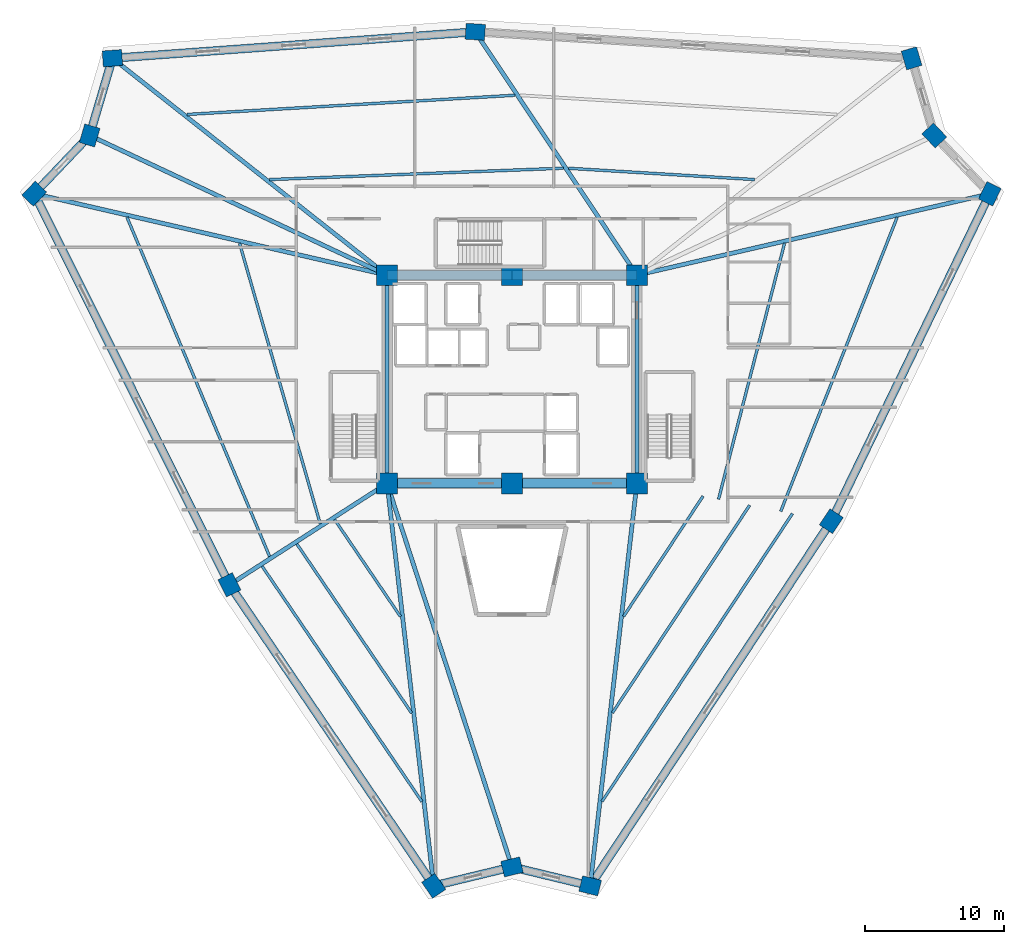
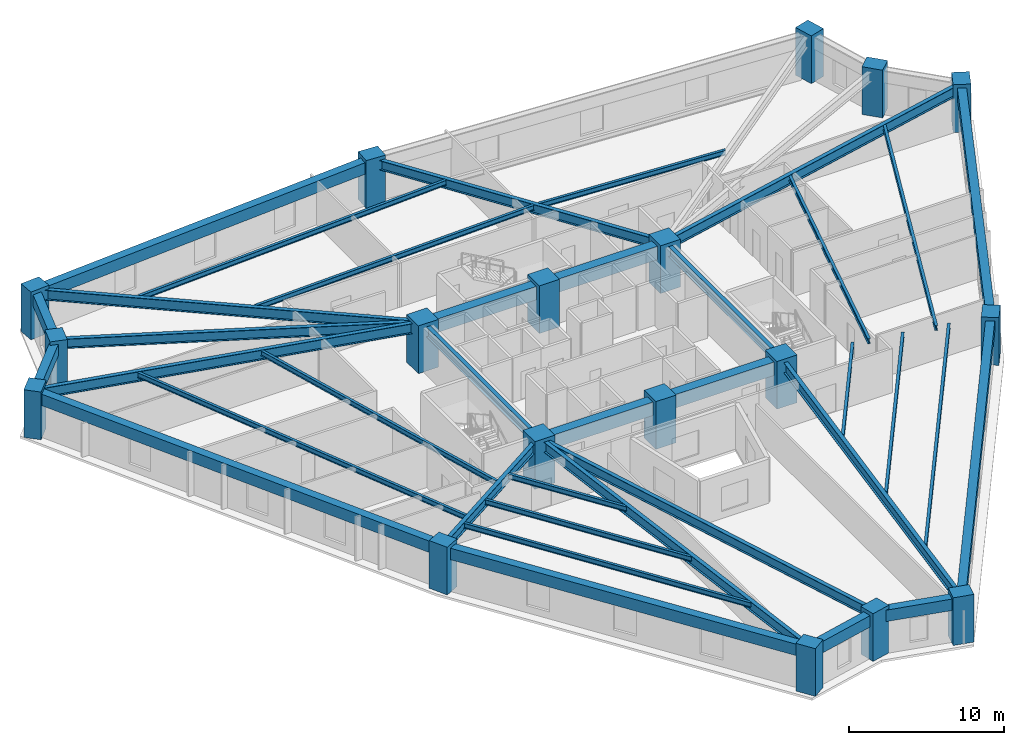
# One storey, part 1 of 8: 37 beams, 18 columns.
"""IFC4 building model written with IfcOpenShell, lengths in metres."""

from ifc_helpers import new_model, si_unit, direction, frame, origin, origin_2d, place, context, subcontext, project, spatial, rectangle, i_section, extrude, source, transform, mapped, material, material_profile, profile_set, type_object, element, save


model = new_model("IFC4")

# Units and contexts
model_context = context("Model", 3, precision=1e-05, world=origin(), true_north=direction((0.0, 1.0)))
body_context = subcontext(model_context, "Body", "Model", "MODEL_VIEW")
ifc_project = project(units=[si_unit("LENGTHUNIT", "METRE"), si_unit("AREAUNIT", "SQUARE_METRE"), si_unit("VOLUMEUNIT", "CUBIC_METRE"), si_unit("PLANEANGLEUNIT", "RADIAN"), si_unit("MASSUNIT", "GRAM", prefix="KILO")], contexts=[model_context])

# Site, building, storey
site_placement = place(None, origin())
site = spatial("IfcSite", under=ifc_project, at=site_placement, CompositionType="ELEMENT")
building_placement = place(site_placement, origin())
building = spatial("IfcBuilding", under=site, at=building_placement, Name="Liaohun Quay Tower", CompositionType="ELEMENT")
storey_placement = place(building_placement, frame((0.0, 0.0, 181.5)))
storey = spatial("IfcBuildingStorey", under=building, at=storey_placement, Name="L47", CompositionType="ELEMENT", Elevation=181.5)

# Columns
ifc_material_1 = material(Name="Concrete C60", Category="concrete")
ifc_material_profile_1 = material_profile(ifc_material_1, rectangle(XDim=1.5, YDim=1.5, at=origin_2d()), Name="RC1500x1500")
ifc_profile_set_1 = profile_set([ifc_material_profile_1], Name="Concrete C60")
column_type_1 = type_object("IfcColumnType", Name="COL-CC-Z2", PredefinedType="COLUMN", material=ifc_profile_set_1)
shared_shape_1 = source(origin(), body_context, "Body", "SweptSolid", [
    extrude(rectangle(XDim=1.5, YDim=1.5, at=origin_2d()), origin(), (0.0, 0.0, 1.0), 3.75),
])
for number, where, z_axis, x_axis, name in (
    (1, (51.0, 46.5, 0.0), (0.0, 0.0, 1.0), (1.0, 0.0, 0.0), "L47 Core Column CC1"),
    (2, (60.0, 46.5, 0.0), (0.0, 0.0, 1.0), (1.0, 0.0, 0.0), "L47 Core Column CC2"),
    (3, (69.0, 46.5, 0.0), (0.0, 0.0, 1.0), (1.0, 0.0, 0.0), "L47 Core Column CC3"),
    (4, (69.0, 61.5, 0.0), (0.0, 0.0, 1.0), (1.0, 0.0, 0.0), "L47 Core Column CC4"),
    (5, (60.0, 61.5, 0.0), (0.0, 0.0, 1.0), (1.0, 0.0, 0.0), "L47 Core Column CC5"),
    (6, (51.0, 61.5, 0.0), (0.0, 0.0, 1.0), (1.0, 0.0, 0.0), "L47 Core Column CC6"),
):
    element("IfcColumn", number, at=place(storey_placement, frame(where, z_axis=z_axis, x_axis=x_axis)), inside=storey, type_object=column_type_1, Name=name, PredefinedType="COLUMN", context=body_context, shape_type="MappedRepresentation", body=[
        mapped(shared_shape_1, transform((0.0, 0.0, 0.0), x_axis=(1.0, 0.0, 0.0), y_axis=(0.0, 1.0, 0.0), z_axis=(0.0, 0.0, 1.0), scale=1.0)),
    ])
ifc_material_profile_2 = material_profile(ifc_material_1, rectangle(XDim=1.39990234375, YDim=1.14990234375, at=origin_2d()), Name="RC1400x1150")
ifc_profile_set_2 = profile_set([ifc_material_profile_2], Name="Concrete C60")
column_type_2 = type_object("IfcColumnType", Name="COL-PIER-Z2", PredefinedType="COLUMN", material=ifc_profile_set_2)
shared_shape_2 = source(origin(), body_context, "Body", "SweptSolid", [
    extrude(rectangle(XDim=1.39990234375, YDim=1.14990234375, at=origin_2d()), origin(), (0.0, 0.0, 1.0), 3.75),
])
for number, where, z_axis, x_axis, name in (
    (7, (54.362060546875, 17.50390625, 0.0), (0.0, 0.0, 1.0), (-0.561505829755, 0.827472780913, 0.0), "L47 Perimeter Pier PC01"),
    (8, (39.64208984375, 39.193115234375, 0.0), (0.0, 0.0, 1.0), (-0.446510176944, 0.894778554664, 0.0), "L47 Perimeter Pier PC02"),
    (9, (25.580078125, 67.3701171875, 0.0), (0.0, 0.0, 1.0), (0.68936671806, 0.724412539946, 0.0), "L47 Perimeter Pier PC03"),
    (10, (29.572998046875, 71.56689453125, 0.0), (0.0, 0.0, 1.0), (0.28284371374, 0.959166009405, 0.0), "L47 Perimeter Pier PC04"),
    (11, (31.214111328125, 77.131103515625, 0.0), (0.0, 0.0, 1.0), (0.997365364088, 0.072541922484, 0.0), "L47 Perimeter Pier PC05"),
    (12, (57.35595703125, 79.032958984375, 0.0), (0.0, 0.0, 1.0), (-0.998156047572, 0.06070012105, 0.0), "L47 Perimeter Pier PC06"),
    (13, (88.7880859375, 77.1240234375, 0.0), (0.0, 0.0, 1.0), (-0.28284371374, 0.959166009405, 0.0), "L47 Perimeter Pier PC07"),
    (14, (90.427001953125, 71.56689453125, 0.0), (0.0, 0.0, 1.0), (-0.68936671806, 0.724412539946, 0.0), "L47 Perimeter Pier PC08"),
    (15, (94.425048828125, 67.364990234375, 0.0), (0.0, 0.0, 1.0), (0.435859534333, 0.900014703397, 0.0), "L47 Perimeter Pier PC09"),
    (16, (83.001953125, 43.77392578125, 0.0), (0.0, 0.0, 1.0), (0.551645870628, 0.834078433613, 0.0), "L47 Perimeter Pier PC10"),
    (17, (65.631103515625, 17.506103515625, 0.0), (0.0, 0.0, 1.0), (-0.972043021443, 0.234802820391, 0.0), "L47 Perimeter Pier PC11"),
    (18, (60.0, 18.865966796875, 0.0), (0.0, 0.0, 1.0), (0.972043021443, 0.234802820391, 0.0), "L47 Perimeter Pier PC12"),
):
    element("IfcColumn", number, at=place(storey_placement, frame(where, z_axis=z_axis, x_axis=x_axis)), inside=storey, type_object=column_type_2, Name=name, PredefinedType="COLUMN", context=body_context, shape_type="MappedRepresentation", body=[
        mapped(shared_shape_2, transform((0.0, 0.0, 0.0), x_axis=(1.0, 0.0, 0.0), y_axis=(0.0, 1.0, 0.0), z_axis=(0.0, 0.0, 1.0), scale=1.0)),
    ])

# Beams
ifc_material_profile_3 = material_profile(ifc_material_1, rectangle(XDim=0.699951171875, YDim=1.050048828125, at=origin_2d()), Name="RC700x1050")
ifc_profile_set_3 = profile_set([ifc_material_profile_3], Name="Concrete C60")
beam_type_1 = type_object("IfcBeamType", Name="BM-CPL-1", PredefinedType="LINTEL", material=ifc_profile_set_3)
shared_shape_3 = source(origin(), body_context, "Body", "SweptSolid", [
    extrude(rectangle(XDim=0.699951171875, YDim=1.050048828125, at=origin_2d()), origin(), (0.0, 0.0, 1.0), 9.0),
])
for number, where, z_axis, x_axis, name in (
    (19, (51.0, 46.5, 2.945068359375), (1.0, 0.0, 0.0), (0.0, 1.0, 0.0), "L47 Core Coupling/Ring Beam CC1-CC2"),
    (20, (60.0, 46.5, 2.945068359375), (1.0, 0.0, 0.0), (0.0, 1.0, 0.0), "L47 Core Coupling/Ring Beam CC2-CC3"),
    (21, (69.0, 61.5, 2.945068359375), (-1.0, 0.0, 0.0), (0.0, -1.0, 0.0), "L47 Core Coupling/Ring Beam CC4-CC5"),
    (22, (60.0, 61.5, 2.945068359375), (-1.0, 0.0, 0.0), (0.0, -1.0, 0.0), "L47 Core Coupling/Ring Beam CC5-CC6"),
):
    element("IfcBeam", number, at=place(storey_placement, frame(where, z_axis=z_axis, x_axis=x_axis)), inside=storey, type_object=beam_type_1, Name=name, PredefinedType="LINTEL", context=body_context, shape_type="MappedRepresentation", body=[
        mapped(shared_shape_3, transform((0.0, 0.0, 0.0), x_axis=(1.0, 0.0, 0.0), y_axis=(0.0, 1.0, 0.0), z_axis=(0.0, 0.0, 1.0), scale=1.0)),
    ])
ifc_material_2 = material(Name="Steel Q355D", Category="steel")
ifc_material_profile_4 = material_profile(ifc_material_2, i_section(OverallWidth=0.300048828125, OverallDepth=0.800048828125, WebThickness=0.013916015625, FlangeThickness=0.02587890625, at=origin_2d()), Name="HN800x300x14x26")
ifc_profile_set_4 = profile_set([ifc_material_profile_4], Name="Steel Q355D")
beam_type_2 = type_object("IfcBeamType", Name="BM-RAD-M1", PredefinedType="BEAM", material=ifc_profile_set_4)
shared_shape_4 = source(origin(), body_context, "Body", "SweptSolid", [
    extrude(i_section(OverallWidth=0.300048828125, OverallDepth=0.800048828125, WebThickness=0.013916015625, FlangeThickness=0.02587890625, at=origin_2d()), origin(), (0.0, 0.0, 1.0), 15.0),
])
for number, where, z_axis, x_axis, name in (
    (23, (69.0, 46.5, 3.070068359375), (0.0, 1.0, 0.0), (-1.0, 0.0, 0.0), "L47 Core Coupling/Ring Beam CC3-CC4"),
    (24, (51.0, 61.5, 3.070068359375), (0.0, -1.0, 0.0), (1.0, 0.0, 0.0), "L47 Core Coupling/Ring Beam CC6-CC1"),
):
    element("IfcBeam", number, at=place(storey_placement, frame(where, z_axis=z_axis, x_axis=x_axis)), inside=storey, type_object=beam_type_2, Name=name, PredefinedType="BEAM", context=body_context, shape_type="MappedRepresentation", body=[
        mapped(shared_shape_4, transform((0.0, 0.0, 0.0), x_axis=(1.0, 0.0, 0.0), y_axis=(0.0, 1.0, 0.0), z_axis=(0.0, 0.0, 1.0), scale=1.0)),
    ])
shared_shape_5 = source(origin(), body_context, "Body", "SweptSolid", [
    extrude(i_section(OverallWidth=0.300048828125, OverallDepth=0.800048828125, WebThickness=0.013916015625, FlangeThickness=0.02587890625, at=origin_2d()), origin(), (0.0, 0.0, 1.0), 29.1904296875),
])
beam_1_placement = place(storey_placement, frame((51.0, 46.5, 3.070068359375), z_axis=(0.115177098439, -0.993344973307, 0.0), x_axis=(0.993344973307, 0.115177098439, 0.0)))
element("IfcBeam", 25, at=beam_1_placement, inside=storey, type_object=beam_type_2, Name="L47 Radial Primary Girder CC1-PC01", PredefinedType="BEAM", context=body_context, shape_type="MappedRepresentation", body=[
    mapped(shared_shape_5, transform((0.0, 0.0, 0.0), x_axis=(1.0, 0.0, 0.0), y_axis=(0.0, 1.0, 0.0), z_axis=(0.0, 0.0, 1.0), scale=1.0)),
])
ifc_material_profile_5 = material_profile(ifc_material_2, i_section(OverallWidth=0.300048828125, OverallDepth=0.75, WebThickness=0.013916015625, FlangeThickness=0.02587890625, at=origin_2d()), Name="HN750x300x14x26")
ifc_profile_set_5 = profile_set([ifc_material_profile_5], Name="Steel Q355D")
beam_type_3 = type_object("IfcBeamType", Name="BM-RAD-M2", PredefinedType="BEAM", material=ifc_profile_set_5)
shared_shape_6 = source(origin(), body_context, "Body", "SweptSolid", [
    extrude(i_section(OverallWidth=0.300048828125, OverallDepth=0.75, WebThickness=0.013916015625, FlangeThickness=0.02587890625, at=origin_2d()), origin(), (0.0, 0.0, 1.0), 13.50537109375),
])
beam_2_placement = place(storey_placement, frame((51.0, 46.5, 3.094970703125), z_axis=(-0.840997523628, -0.54103896833, 0.0), x_axis=(0.54103896833, -0.840997523628, 0.0)))
element("IfcBeam", 26, at=beam_2_placement, inside=storey, type_object=beam_type_3, Name="L47 Radial Primary Girder CC1-PC02", PredefinedType="BEAM", context=body_context, shape_type="MappedRepresentation", body=[
    mapped(shared_shape_6, transform((0.0, 0.0, 0.0), x_axis=(1.0, 0.0, 0.0), y_axis=(0.0, 1.0, 0.0), z_axis=(0.0, 0.0, 1.0), scale=1.0)),
])
shared_shape_7 = source(origin(), body_context, "Body", "SweptSolid", [
    extrude(i_section(OverallWidth=0.300048828125, OverallDepth=0.800048828125, WebThickness=0.013916015625, FlangeThickness=0.02587890625, at=origin_2d()), origin(), (0.0, 0.0, 1.0), 26.0888671875),
])
beam_3_placement = place(storey_placement, frame((51.0, 61.5, 3.070068359375), z_axis=(-0.974357748377, 0.225004395908, 0.0), x_axis=(-0.225004395908, -0.974357748377, 0.0)))
element("IfcBeam", 27, at=beam_3_placement, inside=storey, type_object=beam_type_2, Name="L47 Radial Primary Girder CC6-PC03", PredefinedType="BEAM", context=body_context, shape_type="MappedRepresentation", body=[
    mapped(shared_shape_7, transform((0.0, 0.0, 0.0), x_axis=(1.0, 0.0, 0.0), y_axis=(0.0, 1.0, 0.0), z_axis=(0.0, 0.0, 1.0), scale=1.0)),
])
shared_shape_8 = source(origin(), body_context, "Body", "SweptSolid", [
    extrude(i_section(OverallWidth=0.300048828125, OverallDepth=0.75, WebThickness=0.013916015625, FlangeThickness=0.02587890625, at=origin_2d()), origin(), (0.0, 0.0, 1.0), 23.674072265625),
])
beam_4_placement = place(storey_placement, frame((51.0, 61.5, 3.094970703125), z_axis=(-0.905085425075, 0.42522978884, 0.0), x_axis=(-0.42522978884, -0.905085425075, 0.0)))
element("IfcBeam", 28, at=beam_4_placement, inside=storey, type_object=beam_type_3, Name="L47 Radial Primary Girder CC6-PC04", PredefinedType="BEAM", context=body_context, shape_type="MappedRepresentation", body=[
    mapped(shared_shape_8, transform((0.0, 0.0, 0.0), x_axis=(1.0, 0.0, 0.0), y_axis=(0.0, 1.0, 0.0), z_axis=(0.0, 0.0, 1.0), scale=1.0)),
])
shared_shape_9 = source(origin(), body_context, "Body", "SweptSolid", [
    extrude(i_section(OverallWidth=0.300048828125, OverallDepth=0.800048828125, WebThickness=0.013916015625, FlangeThickness=0.02587890625, at=origin_2d()), origin(), (0.0, 0.0, 1.0), 25.21533203125),
])
beam_5_placement = place(storey_placement, frame((51.0, 61.5, 3.070068359375), z_axis=(-0.784677016189, 0.619904815487, 0.0), x_axis=(-0.619904815487, -0.784677016189, 0.0)))
element("IfcBeam", 29, at=beam_5_placement, inside=storey, type_object=beam_type_2, Name="L47 Radial Primary Girder CC6-PC05", PredefinedType="BEAM", context=body_context, shape_type="MappedRepresentation", body=[
    mapped(shared_shape_9, transform((0.0, 0.0, 0.0), x_axis=(1.0, 0.0, 0.0), y_axis=(0.0, 1.0, 0.0), z_axis=(0.0, 0.0, 1.0), scale=1.0)),
])
shared_shape_10 = source(origin(), body_context, "Body", "SweptSolid", [
    extrude(i_section(OverallWidth=0.300048828125, OverallDepth=0.75, WebThickness=0.013916015625, FlangeThickness=0.02587890625, at=origin_2d()), origin(), (0.0, 0.0, 1.0), 21.04736328125),
])
beam_6_placement = place(storey_placement, frame((69.0, 61.5, 3.094970703125), z_axis=(-0.553232427979, 0.83302693872, 0.0), x_axis=(-0.83302693872, -0.553232427979, 0.0)))
element("IfcBeam", 30, at=beam_6_placement, inside=storey, type_object=beam_type_3, Name="L47 Radial Primary Girder CC4-PC06", PredefinedType="BEAM", context=body_context, shape_type="MappedRepresentation", body=[
    mapped(shared_shape_10, transform((0.0, 0.0, 0.0), x_axis=(1.0, 0.0, 0.0), y_axis=(0.0, 1.0, 0.0), z_axis=(0.0, 0.0, 1.0), scale=1.0)),
])
shared_shape_11 = source(origin(), body_context, "Body", "SweptSolid", [
    extrude(i_section(OverallWidth=0.300048828125, OverallDepth=0.800048828125, WebThickness=0.013916015625, FlangeThickness=0.02587890625, at=origin_2d()), origin(), (0.0, 0.0, 1.0), 26.0927734375),
])
beam_7_placement = place(storey_placement, frame((69.0, 61.5, 3.070068359375), z_axis=(0.974410746355, 0.224774770356, 0.0), x_axis=(-0.224774770356, 0.974410746355, 0.0)))
element("IfcBeam", 31, at=beam_7_placement, inside=storey, type_object=beam_type_2, Name="L47 Radial Primary Girder CC4-PC09", PredefinedType="BEAM", context=body_context, shape_type="MappedRepresentation", body=[
    mapped(shared_shape_11, transform((0.0, 0.0, 0.0), x_axis=(1.0, 0.0, 0.0), y_axis=(0.0, 1.0, 0.0), z_axis=(0.0, 0.0, 1.0), scale=1.0)),
])
shared_shape_12 = source(origin(), body_context, "Body", "SweptSolid", [
    extrude(i_section(OverallWidth=0.300048828125, OverallDepth=0.800048828125, WebThickness=0.013916015625, FlangeThickness=0.02587890625, at=origin_2d()), origin(), (0.0, 0.0, 1.0), 29.18896484375),
])
beam_8_placement = place(storey_placement, frame((69.0, 46.5, 3.070068359375), z_axis=(-0.115416796794, -0.993317151275, 0.0), x_axis=(0.993317151275, -0.115416796794, 0.0)))
element("IfcBeam", 32, at=beam_8_placement, inside=storey, type_object=beam_type_2, Name="L47 Radial Primary Girder CC3-PC11", PredefinedType="BEAM", context=body_context, shape_type="MappedRepresentation", body=[
    mapped(shared_shape_12, transform((0.0, 0.0, 0.0), x_axis=(1.0, 0.0, 0.0), y_axis=(0.0, 1.0, 0.0), z_axis=(0.0, 0.0, 1.0), scale=1.0)),
])
shared_shape_13 = source(origin(), body_context, "Body", "SweptSolid", [
    extrude(i_section(OverallWidth=0.300048828125, OverallDepth=0.75, WebThickness=0.013916015625, FlangeThickness=0.02587890625, at=origin_2d()), origin(), (0.0, 0.0, 1.0), 29.062744140625),
])
beam_9_placement = place(storey_placement, frame((51.0, 46.5, 3.094970703125), z_axis=(0.309675423951, -0.950842327518, 0.0), x_axis=(0.950842327518, 0.309675423951, 0.0)))
element("IfcBeam", 33, at=beam_9_placement, inside=storey, type_object=beam_type_3, Name="L47 Radial Primary Girder CC1-PC12", PredefinedType="BEAM", context=body_context, shape_type="MappedRepresentation", body=[
    mapped(shared_shape_13, transform((0.0, 0.0, 0.0), x_axis=(1.0, 0.0, 0.0), y_axis=(0.0, 1.0, 0.0), z_axis=(0.0, 0.0, 1.0), scale=1.0)),
])
ifc_material_profile_6 = material_profile(ifc_material_2, i_section(OverallWidth=0.199951171875, OverallDepth=0.39990234375, WebThickness=0.008056640625, FlangeThickness=0.012939453125, at=origin_2d()), Name="HN400x200x8x13")
ifc_profile_set_6 = profile_set([ifc_material_profile_6], Name="Steel Q355D")
beam_type_4 = type_object("IfcBeamType", Name="BM-SEC-J2", PredefinedType="JOIST", material=ifc_profile_set_6)
shared_shape_14 = source(origin(), body_context, "Body", "SweptSolid", [
    extrude(i_section(OverallWidth=0.199951171875, OverallDepth=0.39990234375, WebThickness=0.008056640625, FlangeThickness=0.012939453125, at=origin_2d()), origin(), (0.0, 0.0, 1.0), 8.437255859375),
])
beam_10_placement = place(storey_placement, frame((51.9609375, 36.909912109375, 3.27001953125), z_axis=(-0.561565809271, 0.827432076885, 0.0), x_axis=(-0.827432076885, -0.561565809271, 0.0)))
element("IfcBeam", 34, at=beam_10_placement, inside=storey, type_object=beam_type_4, Name="L47 Wing Secondary Floor Joist SJ-01", PredefinedType="JOIST", context=body_context, shape_type="MappedRepresentation", body=[
    mapped(shared_shape_14, transform((0.0, 0.0, 0.0), x_axis=(1.0, 0.0, 0.0), y_axis=(0.0, 1.0, 0.0), z_axis=(0.0, 0.0, 1.0), scale=1.0)),
])
shared_shape_15 = source(origin(), body_context, "Body", "SweptSolid", [
    extrude(i_section(OverallWidth=0.199951171875, OverallDepth=0.39990234375, WebThickness=0.008056640625, FlangeThickness=0.012939453125, at=origin_2d()), origin(), (0.0, 0.0, 1.0), 14.728515625),
])
beam_11_placement = place(storey_placement, frame((52.76806640625, 29.950927734375, 3.27001953125), z_axis=(-0.561558976676, 0.827436714024, 0.0), x_axis=(-0.827436714024, -0.561558976676, 0.0)))
element("IfcBeam", 35, at=beam_11_placement, inside=storey, type_object=beam_type_4, Name="L47 Wing Secondary Floor Joist SJ-02", PredefinedType="JOIST", context=body_context, shape_type="MappedRepresentation", body=[
    mapped(shared_shape_15, transform((0.0, 0.0, 0.0), x_axis=(1.0, 0.0, 0.0), y_axis=(0.0, 1.0, 0.0), z_axis=(0.0, 0.0, 1.0), scale=1.0)),
])
shared_shape_16 = source(origin(), body_context, "Body", "SweptSolid", [
    extrude(i_section(OverallWidth=0.199951171875, OverallDepth=0.39990234375, WebThickness=0.008056640625, FlangeThickness=0.012939453125, at=origin_2d()), origin(), (0.0, 0.0, 1.0), 20.49462890625),
])
beam_12_placement = place(storey_placement, frame((53.507080078125, 23.572021484375, 3.27001953125), z_axis=(-0.561562008765, 0.827434656219, 0.0), x_axis=(-0.827434656219, -0.561562008765, 0.0)))
element("IfcBeam", 36, at=beam_12_placement, inside=storey, type_object=beam_type_4, Name="L47 Wing Secondary Floor Joist SJ-03", PredefinedType="JOIST", context=body_context, shape_type="MappedRepresentation", body=[
    mapped(shared_shape_16, transform((0.0, 0.0, 0.0), x_axis=(1.0, 0.0, 0.0), y_axis=(0.0, 1.0, 0.0), z_axis=(0.0, 0.0, 1.0), scale=1.0)),
])
shared_shape_17 = source(origin(), body_context, "Body", "SweptSolid", [
    extrude(i_section(OverallWidth=0.199951171875, OverallDepth=0.39990234375, WebThickness=0.008056640625, FlangeThickness=0.012939453125, at=origin_2d()), origin(), (0.0, 0.0, 1.0), 21.03857421875),
])
beam_13_placement = place(storey_placement, frame((46.18603515625, 43.58203125, 3.27001953125), z_axis=(-0.276394377443, 0.961044300809, 0.0), x_axis=(-0.961044300809, -0.276394377443, 0.0)))
element("IfcBeam", 37, at=beam_13_placement, inside=storey, type_object=beam_type_4, Name="L47 Wing Secondary Floor Joist SJ-04", PredefinedType="JOIST", context=body_context, shape_type="MappedRepresentation", body=[
    mapped(shared_shape_17, transform((0.0, 0.0, 0.0), x_axis=(1.0, 0.0, 0.0), y_axis=(0.0, 1.0, 0.0), z_axis=(0.0, 0.0, 1.0), scale=1.0)),
])
shared_shape_18 = source(origin(), body_context, "Body", "SweptSolid", [
    extrude(i_section(OverallWidth=0.199951171875, OverallDepth=0.39990234375, WebThickness=0.008056640625, FlangeThickness=0.012939453125, at=origin_2d()), origin(), (0.0, 0.0, 1.0), 26.51220703125),
])
beam_14_placement = place(storey_placement, frame((42.535888671875, 41.23291015625, 3.27001953125), z_axis=(-0.387553870064, 0.921847057704, 0.0), x_axis=(-0.921847057704, -0.387553870064, 0.0)))
element("IfcBeam", 38, at=beam_14_placement, inside=storey, type_object=beam_type_4, Name="L47 Wing Secondary Floor Joist SJ-05", PredefinedType="JOIST", context=body_context, shape_type="MappedRepresentation", body=[
    mapped(shared_shape_18, transform((0.0, 0.0, 0.0), x_axis=(1.0, 0.0, 0.0), y_axis=(0.0, 1.0, 0.0), z_axis=(0.0, 0.0, 1.0), scale=1.0)),
])
shared_shape_19 = source(origin(), body_context, "Body", "SweptSolid", [
    extrude(i_section(OverallWidth=0.199951171875, OverallDepth=0.39990234375, WebThickness=0.008056640625, FlangeThickness=0.012939453125, at=origin_2d()), origin(), (0.0, 0.0, 1.0), 21.19189453125),
])
beam_15_placement = place(storey_placement, frame((42.52490234375, 68.386962890625, 3.27001953125), z_axis=(0.999249197644, 0.038743270481, 0.0), x_axis=(-0.038743270481, 0.999249197644, 0.0)))
element("IfcBeam", 39, at=beam_15_placement, inside=storey, type_object=beam_type_4, Name="L47 Wing Secondary Floor Joist SJ-06", PredefinedType="JOIST", context=body_context, shape_type="MappedRepresentation", body=[
    mapped(shared_shape_19, transform((0.0, 0.0, 0.0), x_axis=(1.0, 0.0, 0.0), y_axis=(0.0, 1.0, 0.0), z_axis=(0.0, 0.0, 1.0), scale=1.0)),
])
shared_shape_20 = source(origin(), body_context, "Body", "SweptSolid", [
    extrude(i_section(OverallWidth=0.199951171875, OverallDepth=0.39990234375, WebThickness=0.008056640625, FlangeThickness=0.012939453125, at=origin_2d()), origin(), (0.0, 0.0, 1.0), 23.66650390625),
])
beam_16_placement = place(storey_placement, frame((36.583984375, 73.080078125, 3.27001953125), z_axis=(0.998288537246, 0.058480735312, 0.0), x_axis=(-0.058480735312, 0.998288537246, 0.0)))
element("IfcBeam", 40, at=beam_16_placement, inside=storey, type_object=beam_type_4, Name="L47 Wing Secondary Floor Joist SJ-07", PredefinedType="JOIST", context=body_context, shape_type="MappedRepresentation", body=[
    mapped(shared_shape_20, transform((0.0, 0.0, 0.0), x_axis=(1.0, 0.0, 0.0), y_axis=(0.0, 1.0, 0.0), z_axis=(0.0, 0.0, 1.0), scale=1.0)),
])
shared_shape_21 = source(origin(), body_context, "Body", "SweptSolid", [
    extrude(i_section(OverallWidth=0.199951171875, OverallDepth=0.39990234375, WebThickness=0.008056640625, FlangeThickness=0.012939453125, at=origin_2d()), origin(), (0.0, 0.0, 1.0), 13.442626953125),
])
beam_17_placement = place(storey_placement, frame((64.06396484375, 69.202880859375, 3.27001953125), z_axis=(0.998160711969, -0.060623370752, 0.0), x_axis=(0.060623370752, 0.998160711969, 0.0)))
element("IfcBeam", 41, at=beam_17_placement, inside=storey, type_object=beam_type_4, Name="L47 Wing Secondary Floor Joist SJ-08", PredefinedType="JOIST", context=body_context, shape_type="MappedRepresentation", body=[
    mapped(shared_shape_21, transform((0.0, 0.0, 0.0), x_axis=(1.0, 0.0, 0.0), y_axis=(0.0, 1.0, 0.0), z_axis=(0.0, 0.0, 1.0), scale=1.0)),
])
shared_shape_22 = source(origin(), body_context, "Body", "SweptSolid", [
    extrude(i_section(OverallWidth=0.199951171875, OverallDepth=0.39990234375, WebThickness=0.008056640625, FlangeThickness=0.012939453125, at=origin_2d()), origin(), (0.0, 0.0, 1.0), 19.048095703125),
])
beam_18_placement = place(storey_placement, frame((79.635986328125, 63.800048828125, 3.27001953125), z_axis=(-0.249625270378, -0.968342513984, 0.0), x_axis=(0.968342513984, -0.249625270378, 0.0)))
element("IfcBeam", 42, at=beam_18_placement, inside=storey, type_object=beam_type_4, Name="L47 Wing Secondary Floor Joist SJ-10", PredefinedType="JOIST", context=body_context, shape_type="MappedRepresentation", body=[
    mapped(shared_shape_22, transform((0.0, 0.0, 0.0), x_axis=(1.0, 0.0, 0.0), y_axis=(0.0, 1.0, 0.0), z_axis=(0.0, 0.0, 1.0), scale=1.0)),
])
shared_shape_23 = source(origin(), body_context, "Body", "SweptSolid", [
    extrude(i_section(OverallWidth=0.199951171875, OverallDepth=0.39990234375, WebThickness=0.008056640625, FlangeThickness=0.012939453125, at=origin_2d()), origin(), (0.0, 0.0, 1.0), 22.787109375),
])
beam_19_placement = place(storey_placement, frame((87.7470703125, 65.6708984375, 3.27001953125), z_axis=(-0.368013329907, -0.929820514406, 0.0), x_axis=(0.929820514406, -0.368013329907, 0.0)))
element("IfcBeam", 43, at=beam_19_placement, inside=storey, type_object=beam_type_4, Name="L47 Wing Secondary Floor Joist SJ-11", PredefinedType="JOIST", context=body_context, shape_type="MappedRepresentation", body=[
    mapped(shared_shape_23, transform((0.0, 0.0, 0.0), x_axis=(1.0, 0.0, 0.0), y_axis=(0.0, 1.0, 0.0), z_axis=(0.0, 0.0, 1.0), scale=1.0)),
])
shared_shape_24 = source(origin(), body_context, "Body", "SweptSolid", [
    extrude(i_section(OverallWidth=0.199951171875, OverallDepth=0.39990234375, WebThickness=0.008056640625, FlangeThickness=0.012939453125, at=origin_2d()), origin(), (0.0, 0.0, 1.0), 10.375244140625),
])
beam_20_placement = place(storey_placement, frame((73.760986328125, 45.572998046875, 3.27001953125), z_axis=(-0.551595651984, -0.834111645232, 0.0), x_axis=(0.834111645232, -0.551595651984, 0.0)))
element("IfcBeam", 44, at=beam_20_placement, inside=storey, type_object=beam_type_4, Name="L47 Wing Secondary Floor Joist SJ-12", PredefinedType="JOIST", context=body_context, shape_type="MappedRepresentation", body=[
    mapped(shared_shape_24, transform((0.0, 0.0, 0.0), x_axis=(1.0, 0.0, 0.0), y_axis=(0.0, 1.0, 0.0), z_axis=(0.0, 0.0, 1.0), scale=1.0)),
])
shared_shape_25 = source(origin(), body_context, "Body", "SweptSolid", [
    extrude(i_section(OverallWidth=0.199951171875, OverallDepth=0.39990234375, WebThickness=0.008056640625, FlangeThickness=0.012939453125, at=origin_2d()), origin(), (0.0, 0.0, 1.0), 17.93310546875),
])
beam_21_placement = place(storey_placement, frame((77.12109375, 44.9189453125, 3.27001953125), z_axis=(-0.551611245775, -0.834101332893, 0.0), x_axis=(0.834101332893, -0.551611245775, 0.0)))
element("IfcBeam", 45, at=beam_21_placement, inside=storey, type_object=beam_type_4, Name="L47 Wing Secondary Floor Joist SJ-13", PredefinedType="JOIST", context=body_context, shape_type="MappedRepresentation", body=[
    mapped(shared_shape_25, transform((0.0, 0.0, 0.0), x_axis=(1.0, 0.0, 0.0), y_axis=(0.0, 1.0, 0.0), z_axis=(0.0, 0.0, 1.0), scale=1.0)),
])
shared_shape_26 = source(origin(), body_context, "Body", "SweptSolid", [
    extrude(i_section(OverallWidth=0.199951171875, OverallDepth=0.39990234375, WebThickness=0.008056640625, FlangeThickness=0.012939453125, at=origin_2d()), origin(), (0.0, 0.0, 1.0), 24.861572265625),
])
beam_22_placement = place(storey_placement, frame((80.201904296875, 44.319091796875, 3.27001953125), z_axis=(-0.551609873525, -0.834102240393, 0.0), x_axis=(0.834102240393, -0.551609873525, 0.0)))
element("IfcBeam", 46, at=beam_22_placement, inside=storey, type_object=beam_type_4, Name="L47 Wing Secondary Floor Joist SJ-14", PredefinedType="JOIST", context=body_context, shape_type="MappedRepresentation", body=[
    mapped(shared_shape_26, transform((0.0, 0.0, 0.0), x_axis=(1.0, 0.0, 0.0), y_axis=(0.0, 1.0, 0.0), z_axis=(0.0, 0.0, 1.0), scale=1.0)),
])
ifc_material_3 = material(Name="Precast concrete C55", Category="concrete")
ifc_material_profile_7 = material_profile(ifc_material_3, rectangle(XDim=0.60009765625, YDim=0.89990234375, at=origin_2d()), Name="RC600x900")
ifc_profile_set_7 = profile_set([ifc_material_profile_7], Name="Precast concrete C55")
beam_type_5 = type_object("IfcBeamType", Name="BM-SPD-Z2", PredefinedType="SPANDREL", material=ifc_profile_set_7)
shared_shape_27 = source(origin(), body_context, "Body", "SweptSolid", [
    extrude(rectangle(XDim=0.60009765625, YDim=0.89990234375, at=origin_2d()), origin(), (0.0, 0.0, 1.0), 26.212646484375),
])
beam_23_placement = place(storey_placement, frame((54.362060546875, 17.50390625, 3.02001953125), z_axis=(-0.561561318488, 0.827435124694, 0.0), x_axis=(-0.827435124694, -0.561561318488, 0.0)))
element("IfcBeam", 47, at=beam_23_placement, inside=storey, type_object=beam_type_5, Name="L47 Precast Spandrel Beam PC01-PC02", PredefinedType="SPANDREL", context=body_context, shape_type="MappedRepresentation", body=[
    mapped(shared_shape_27, transform((0.0, 0.0, 0.0), x_axis=(1.0, 0.0, 0.0), y_axis=(0.0, 1.0, 0.0), z_axis=(0.0, 0.0, 1.0), scale=1.0)),
])
shared_shape_28 = source(origin(), body_context, "Body", "SweptSolid", [
    extrude(rectangle(XDim=0.60009765625, YDim=0.89990234375, at=origin_2d()), origin(), (0.0, 0.0, 1.0), 31.490966796875),
])
beam_24_placement = place(storey_placement, frame((39.64208984375, 39.193115234375, 3.02001953125), z_axis=(-0.446540533784, 0.894763405425, 0.0), x_axis=(-0.894763405425, -0.446540533784, 0.0)))
element("IfcBeam", 48, at=beam_24_placement, inside=storey, type_object=beam_type_5, Name="L47 Precast Spandrel Beam PC02-PC03", PredefinedType="SPANDREL", context=body_context, shape_type="MappedRepresentation", body=[
    mapped(shared_shape_28, transform((0.0, 0.0, 0.0), x_axis=(1.0, 0.0, 0.0), y_axis=(0.0, 1.0, 0.0), z_axis=(0.0, 0.0, 1.0), scale=1.0)),
])
shared_shape_29 = source(origin(), body_context, "Body", "SweptSolid", [
    extrude(rectangle(XDim=0.60009765625, YDim=0.89990234375, at=origin_2d()), origin(), (0.0, 0.0, 1.0), 5.792724609375),
])
beam_25_placement = place(storey_placement, frame((25.580078125, 67.3701171875, 3.02001953125), z_axis=(0.689292011777, 0.724483624729, 0.0), x_axis=(-0.724483624729, 0.689292011777, 0.0)))
element("IfcBeam", 49, at=beam_25_placement, inside=storey, type_object=beam_type_5, Name="L47 Precast Spandrel Beam PC03-PC04", PredefinedType="SPANDREL", context=body_context, shape_type="MappedRepresentation", body=[
    mapped(shared_shape_29, transform((0.0, 0.0, 0.0), x_axis=(1.0, 0.0, 0.0), y_axis=(0.0, 1.0, 0.0), z_axis=(0.0, 0.0, 1.0), scale=1.0)),
])
shared_shape_30 = source(origin(), body_context, "Body", "SweptSolid", [
    extrude(rectangle(XDim=0.60009765625, YDim=0.89990234375, at=origin_2d()), origin(), (0.0, 0.0, 1.0), 5.80126953125),
])
beam_26_placement = place(storey_placement, frame((29.572998046875, 71.56689453125, 3.02001953125), z_axis=(0.282893074551, 0.959151452259, 0.0), x_axis=(-0.959151452259, 0.282893074551, 0.0)))
element("IfcBeam", 50, at=beam_26_placement, inside=storey, type_object=beam_type_5, Name="L47 Precast Spandrel Beam PC04-PC05", PredefinedType="SPANDREL", context=body_context, shape_type="MappedRepresentation", body=[
    mapped(shared_shape_30, transform((0.0, 0.0, 0.0), x_axis=(1.0, 0.0, 0.0), y_axis=(0.0, 1.0, 0.0), z_axis=(0.0, 0.0, 1.0), scale=1.0)),
])
shared_shape_31 = source(origin(), body_context, "Body", "SweptSolid", [
    extrude(rectangle(XDim=0.60009765625, YDim=0.89990234375, at=origin_2d()), origin(), (0.0, 0.0, 1.0), 26.2109375),
])
beam_27_placement = place(storey_placement, frame((31.214111328125, 77.131103515625, 3.02001953125), z_axis=(0.997364076912, 0.072559617464, 0.0), x_axis=(-0.072559617464, 0.997364076912, 0.0)))
element("IfcBeam", 51, at=beam_27_placement, inside=storey, type_object=beam_type_5, Name="L47 Precast Spandrel Beam PC05-PC06", PredefinedType="SPANDREL", context=body_context, shape_type="MappedRepresentation", body=[
    mapped(shared_shape_31, transform((0.0, 0.0, 0.0), x_axis=(1.0, 0.0, 0.0), y_axis=(0.0, 1.0, 0.0), z_axis=(0.0, 0.0, 1.0), scale=1.0)),
])
shared_shape_32 = source(origin(), body_context, "Body", "SweptSolid", [
    extrude(rectangle(XDim=0.60009765625, YDim=0.89990234375, at=origin_2d()), origin(), (0.0, 0.0, 1.0), 5.800048828125),
])
beam_28_placement = place(storey_placement, frame((60.0, 18.865966796875, 3.02001953125), z_axis=(-0.972035840862, -0.234832544761, 0.0), x_axis=(0.234832544761, -0.972035840862, 0.0)))
element("IfcBeam", 52, at=beam_28_placement, inside=storey, type_object=beam_type_5, Name="L47 Precast Spandrel Beam PC12-PC01", PredefinedType="SPANDREL", context=body_context, shape_type="MappedRepresentation", body=[
    mapped(shared_shape_32, transform((0.0, 0.0, 0.0), x_axis=(1.0, 0.0, 0.0), y_axis=(0.0, 1.0, 0.0), z_axis=(0.0, 0.0, 1.0), scale=1.0)),
])
shared_shape_33 = source(origin(), body_context, "Body", "SweptSolid", [
    extrude(rectangle(XDim=0.60009765625, YDim=0.89990234375, at=origin_2d()), origin(), (0.0, 0.0, 1.0), 26.211181640625),
])
beam_29_placement = place(storey_placement, frame((94.425048828125, 67.364990234375, 3.02001953125), z_axis=(-0.435810216179, -0.900038585547, 0.0), x_axis=(0.900038585547, -0.435810216179, 0.0)))
element("IfcBeam", 53, at=beam_29_placement, inside=storey, type_object=beam_type_5, Name="L47 Precast Spandrel Beam PC09-PC10", PredefinedType="SPANDREL", context=body_context, shape_type="MappedRepresentation", body=[
    mapped(shared_shape_33, transform((0.0, 0.0, 0.0), x_axis=(1.0, 0.0, 0.0), y_axis=(0.0, 1.0, 0.0), z_axis=(0.0, 0.0, 1.0), scale=1.0)),
])
shared_shape_34 = source(origin(), body_context, "Body", "SweptSolid", [
    extrude(rectangle(XDim=0.60009765625, YDim=0.89990234375, at=origin_2d()), origin(), (0.0, 0.0, 1.0), 31.491943359375),
])
beam_30_placement = place(storey_placement, frame((83.001953125, 43.77392578125, 3.02001953125), z_axis=(-0.551595953876, -0.834111445592, 0.0), x_axis=(0.834111445592, -0.551595953876, 0.0)))
element("IfcBeam", 54, at=beam_30_placement, inside=storey, type_object=beam_type_5, Name="L47 Precast Spandrel Beam PC10-PC11", PredefinedType="SPANDREL", context=body_context, shape_type="MappedRepresentation", body=[
    mapped(shared_shape_34, transform((0.0, 0.0, 0.0), x_axis=(1.0, 0.0, 0.0), y_axis=(0.0, 1.0, 0.0), z_axis=(0.0, 0.0, 1.0), scale=1.0)),
])
shared_shape_35 = source(origin(), body_context, "Body", "SweptSolid", [
    extrude(rectangle(XDim=0.60009765625, YDim=0.89990234375, at=origin_2d()), origin(), (0.0, 0.0, 1.0), 5.79296875),
])
beam_31_placement = place(storey_placement, frame((65.631103515625, 17.506103515625, 3.02001953125), z_axis=(-0.972057342739, 0.23474352478, 0.0), x_axis=(-0.23474352478, -0.972057342739, 0.0)))
element("IfcBeam", 55, at=beam_31_placement, inside=storey, type_object=beam_type_5, Name="L47 Precast Spandrel Beam PC11-PC12", PredefinedType="SPANDREL", context=body_context, shape_type="MappedRepresentation", body=[
    mapped(shared_shape_35, transform((0.0, 0.0, 0.0), x_axis=(1.0, 0.0, 0.0), y_axis=(0.0, 1.0, 0.0), z_axis=(0.0, 0.0, 1.0), scale=1.0)),
])

save(model, "model.ifc")
